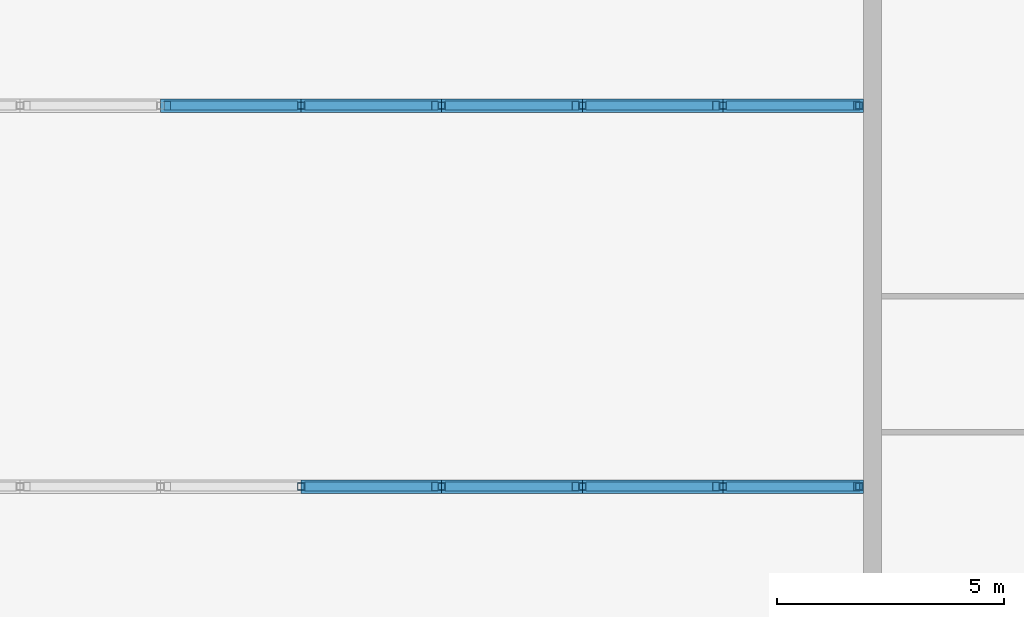
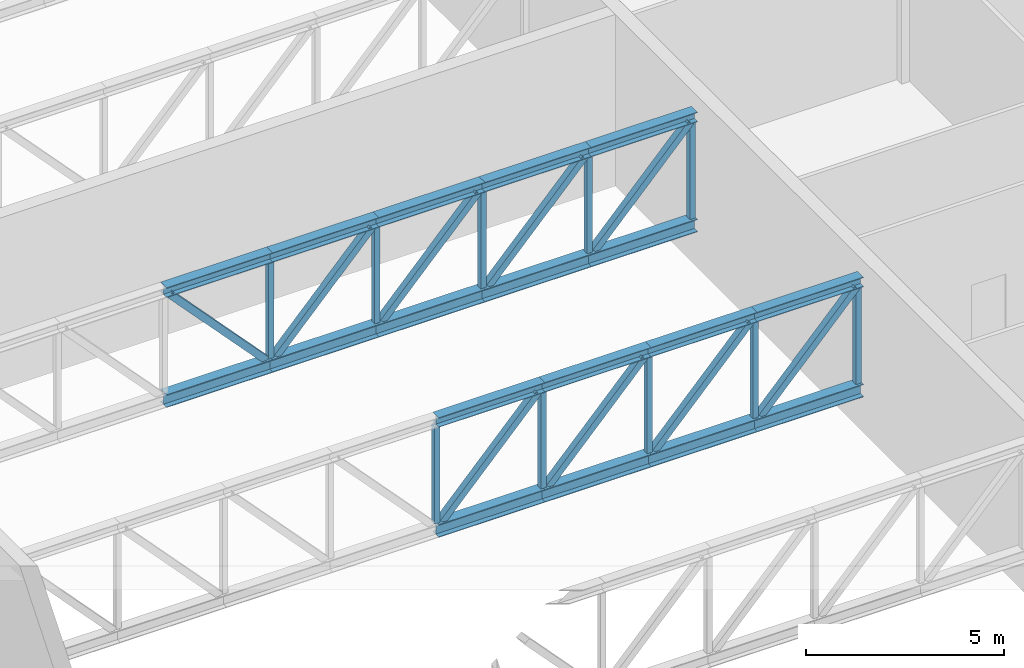
# One storey, part 10 of 26: 37 members.
"""IFC4 building model written with IfcOpenShell, lengths in metres."""

from ifc_helpers import new_model, si_unit, direction, frame, origin, origin_2d, place, context, subcontext, project, spatial, hollow_rectangle, i_section, extrude, material, material_profile, profile_set, type_object, element, save


model = new_model("IFC4")

# Units and contexts
model_context = context("Model", 3, precision=1e-05, world=origin(), true_north=direction((0.0, 1.0)))
body_context = subcontext(model_context, "Body", "Model", "MODEL_VIEW")
ifc_project = project(units=[si_unit("LENGTHUNIT", "METRE"), si_unit("AREAUNIT", "SQUARE_METRE"), si_unit("VOLUMEUNIT", "CUBIC_METRE"), si_unit("PLANEANGLEUNIT", "RADIAN"), si_unit("MASSUNIT", "GRAM", prefix="KILO")], contexts=[model_context])

# Site, building, storey
site_placement = place(None, origin())
site = spatial("IfcSite", under=ifc_project, at=site_placement, CompositionType="ELEMENT")
building_placement = place(site_placement, origin())
building = spatial("IfcBuilding", under=site, at=building_placement, Name="Candeia Pilgrim Tower and Theatre", CompositionType="ELEMENT")
storey_placement = place(building_placement, frame((0.0, 0.0, 34.0)))
storey = spatial("IfcBuildingStorey", under=building, at=storey_placement, Name="L05", CompositionType="ELEMENT", Elevation=34.0)

# Members
ifc_material = material(Name="Steel S355", Category="steel")
ifc_material_profile_1 = material_profile(ifc_material, i_section(OverallWidth=0.300048828125, OverallDepth=0.300048828125, WebThickness=0.010986328125, FlangeThickness=0.01904296875, at=origin_2d()))
ifc_profile_set_1 = profile_set([ifc_material_profile_1], Name="Steel S355")
member_type_1 = type_object("IfcMemberType", Name="Truss chord HEB 300", PredefinedType="CHORD", material=ifc_profile_set_1)
for number, where, z_axis, x_axis, name in (
    (1, (205.39990234375, 87.0, 4.35009765625), (1.0, 0.0, 0.0), (0.0, 1.0, 0.0), "Truss 3 top chord 5"),
    (2, (208.5, 87.0, 4.35009765625), (1.0, 0.0, 0.0), (0.0, 1.0, 0.0), "Truss 3 top chord 6"),
):
    element("IfcMember", number, at=place(storey_placement, frame(where, z_axis=z_axis, x_axis=x_axis)), inside=storey, type_object=member_type_1, Name=name, PredefinedType="CHORD", context=body_context, shape_type="SweptSolid", body=[
        extrude(i_section(OverallWidth=0.300048828125, OverallDepth=0.300048828125, WebThickness=0.010986328125, FlangeThickness=0.01904296875, at=origin_2d()), origin(), (0.0, 0.0, 1.0), 3.10009765625),
    ])
member_1_placement = place(storey_placement, frame((211.60009765625, 87.0, 4.35009765625), z_axis=(1.0, 0.0, 0.0), x_axis=(0.0, 1.0, 0.0)))
element("IfcMember", 3, at=member_1_placement, inside=storey, type_object=member_type_1, Name="Truss 3 top chord 7", PredefinedType="CHORD", context=body_context, shape_type="SweptSolid", body=[
    extrude(i_section(OverallWidth=0.300048828125, OverallDepth=0.300048828125, WebThickness=0.010986328125, FlangeThickness=0.01904296875, at=origin_2d()), origin(), (0.0, 0.0, 1.0), 3.099853515625),
])
member_2_placement = place(storey_placement, frame((214.699951171875, 87.0, 4.35009765625), z_axis=(1.0, 0.0, 0.0), x_axis=(0.0, 1.0, 0.0)))
element("IfcMember", 4, at=member_2_placement, inside=storey, type_object=member_type_1, Name="Truss 3 top chord 8", PredefinedType="CHORD", context=body_context, shape_type="SweptSolid", body=[
    extrude(i_section(OverallWidth=0.300048828125, OverallDepth=0.300048828125, WebThickness=0.010986328125, FlangeThickness=0.01904296875, at=origin_2d()), origin(), (0.0, 0.0, 1.0), 3.10009765625),
])
member_3_placement = place(storey_placement, frame((202.300048828125, 95.39990234375, 4.35009765625), z_axis=(1.0, 0.0, 0.0), x_axis=(0.0, 1.0, 0.0)))
element("IfcMember", 5, at=member_3_placement, inside=storey, type_object=member_type_1, Name="Truss 4 top chord 4", PredefinedType="CHORD", context=body_context, shape_type="SweptSolid", body=[
    extrude(i_section(OverallWidth=0.300048828125, OverallDepth=0.300048828125, WebThickness=0.010986328125, FlangeThickness=0.01904296875, at=origin_2d()), origin(), (0.0, 0.0, 1.0), 3.099853515625),
])
for number, where, z_axis, x_axis, name in (
    (6, (205.39990234375, 95.39990234375, 4.35009765625), (1.0, 0.0, 0.0), (0.0, 1.0, 0.0), "Truss 4 top chord 5"),
    (7, (208.5, 95.39990234375, 4.35009765625), (1.0, 0.0, 0.0), (0.0, 1.0, 0.0), "Truss 4 top chord 6"),
):
    element("IfcMember", number, at=place(storey_placement, frame(where, z_axis=z_axis, x_axis=x_axis)), inside=storey, type_object=member_type_1, Name=name, PredefinedType="CHORD", context=body_context, shape_type="SweptSolid", body=[
        extrude(i_section(OverallWidth=0.300048828125, OverallDepth=0.300048828125, WebThickness=0.010986328125, FlangeThickness=0.01904296875, at=origin_2d()), origin(), (0.0, 0.0, 1.0), 3.10009765625),
    ])
member_4_placement = place(storey_placement, frame((211.60009765625, 95.39990234375, 4.35009765625), z_axis=(1.0, 0.0, 0.0), x_axis=(0.0, 1.0, 0.0)))
element("IfcMember", 8, at=member_4_placement, inside=storey, type_object=member_type_1, Name="Truss 4 top chord 7", PredefinedType="CHORD", context=body_context, shape_type="SweptSolid", body=[
    extrude(i_section(OverallWidth=0.300048828125, OverallDepth=0.300048828125, WebThickness=0.010986328125, FlangeThickness=0.01904296875, at=origin_2d()), origin(), (0.0, 0.0, 1.0), 3.099853515625),
])
member_5_placement = place(storey_placement, frame((214.699951171875, 95.39990234375, 4.35009765625), z_axis=(1.0, 0.0, 0.0), x_axis=(0.0, 1.0, 0.0)))
element("IfcMember", 9, at=member_5_placement, inside=storey, type_object=member_type_1, Name="Truss 4 top chord 8", PredefinedType="CHORD", context=body_context, shape_type="SweptSolid", body=[
    extrude(i_section(OverallWidth=0.300048828125, OverallDepth=0.300048828125, WebThickness=0.010986328125, FlangeThickness=0.01904296875, at=origin_2d()), origin(), (0.0, 0.0, 1.0), 3.10009765625),
])
ifc_material_profile_2 = material_profile(ifc_material, i_section(OverallWidth=0.300048828125, OverallDepth=0.39990234375, WebThickness=0.013427734375, FlangeThickness=0.02392578125, at=origin_2d()))
ifc_profile_set_2 = profile_set([ifc_material_profile_2], Name="Steel S355")
member_type_2 = type_object("IfcMemberType", Name="Truss chord HEB 400", PredefinedType="CHORD", material=ifc_profile_set_2)
for number, where, z_axis, x_axis, name in (
    (10, (205.39990234375, 87.0, 1.0), (1.0, 0.0, 0.0), (0.0, 1.0, 0.0), "Truss 3 bottom chord 5"),
    (11, (208.5, 87.0, 1.0), (1.0, 0.0, 0.0), (0.0, 1.0, 0.0), "Truss 3 bottom chord 6"),
):
    element("IfcMember", number, at=place(storey_placement, frame(where, z_axis=z_axis, x_axis=x_axis)), inside=storey, type_object=member_type_2, Name=name, PredefinedType="CHORD", context=body_context, shape_type="SweptSolid", body=[
        extrude(i_section(OverallWidth=0.300048828125, OverallDepth=0.39990234375, WebThickness=0.013427734375, FlangeThickness=0.02392578125, at=origin_2d()), origin(), (0.0, 0.0, 1.0), 3.10009765625),
    ])
member_6_placement = place(storey_placement, frame((211.60009765625, 87.0, 1.0), z_axis=(1.0, 0.0, 0.0), x_axis=(0.0, 1.0, 0.0)))
element("IfcMember", 12, at=member_6_placement, inside=storey, type_object=member_type_2, Name="Truss 3 bottom chord 7", PredefinedType="CHORD", context=body_context, shape_type="SweptSolid", body=[
    extrude(i_section(OverallWidth=0.300048828125, OverallDepth=0.39990234375, WebThickness=0.013427734375, FlangeThickness=0.02392578125, at=origin_2d()), origin(), (0.0, 0.0, 1.0), 3.099853515625),
])
member_7_placement = place(storey_placement, frame((214.699951171875, 87.0, 1.0), z_axis=(1.0, 0.0, 0.0), x_axis=(0.0, 1.0, 0.0)))
element("IfcMember", 13, at=member_7_placement, inside=storey, type_object=member_type_2, Name="Truss 3 bottom chord 8", PredefinedType="CHORD", context=body_context, shape_type="SweptSolid", body=[
    extrude(i_section(OverallWidth=0.300048828125, OverallDepth=0.39990234375, WebThickness=0.013427734375, FlangeThickness=0.02392578125, at=origin_2d()), origin(), (0.0, 0.0, 1.0), 3.10009765625),
])
member_8_placement = place(storey_placement, frame((202.300048828125, 95.39990234375, 1.0), z_axis=(1.0, 0.0, 0.0), x_axis=(0.0, 1.0, 0.0)))
element("IfcMember", 14, at=member_8_placement, inside=storey, type_object=member_type_2, Name="Truss 4 bottom chord 4", PredefinedType="CHORD", context=body_context, shape_type="SweptSolid", body=[
    extrude(i_section(OverallWidth=0.300048828125, OverallDepth=0.39990234375, WebThickness=0.013427734375, FlangeThickness=0.02392578125, at=origin_2d()), origin(), (0.0, 0.0, 1.0), 3.099853515625),
])
for number, where, z_axis, x_axis, name in (
    (15, (205.39990234375, 95.39990234375, 1.0), (1.0, 0.0, 0.0), (0.0, 1.0, 0.0), "Truss 4 bottom chord 5"),
    (16, (208.5, 95.39990234375, 1.0), (1.0, 0.0, 0.0), (0.0, 1.0, 0.0), "Truss 4 bottom chord 6"),
):
    element("IfcMember", number, at=place(storey_placement, frame(where, z_axis=z_axis, x_axis=x_axis)), inside=storey, type_object=member_type_2, Name=name, PredefinedType="CHORD", context=body_context, shape_type="SweptSolid", body=[
        extrude(i_section(OverallWidth=0.300048828125, OverallDepth=0.39990234375, WebThickness=0.013427734375, FlangeThickness=0.02392578125, at=origin_2d()), origin(), (0.0, 0.0, 1.0), 3.10009765625),
    ])
member_9_placement = place(storey_placement, frame((211.60009765625, 95.39990234375, 1.0), z_axis=(1.0, 0.0, 0.0), x_axis=(0.0, 1.0, 0.0)))
element("IfcMember", 17, at=member_9_placement, inside=storey, type_object=member_type_2, Name="Truss 4 bottom chord 7", PredefinedType="CHORD", context=body_context, shape_type="SweptSolid", body=[
    extrude(i_section(OverallWidth=0.300048828125, OverallDepth=0.39990234375, WebThickness=0.013427734375, FlangeThickness=0.02392578125, at=origin_2d()), origin(), (0.0, 0.0, 1.0), 3.099853515625),
])
member_10_placement = place(storey_placement, frame((214.699951171875, 95.39990234375, 1.0), z_axis=(1.0, 0.0, 0.0), x_axis=(0.0, 1.0, 0.0)))
element("IfcMember", 18, at=member_10_placement, inside=storey, type_object=member_type_2, Name="Truss 4 bottom chord 8", PredefinedType="CHORD", context=body_context, shape_type="SweptSolid", body=[
    extrude(i_section(OverallWidth=0.300048828125, OverallDepth=0.39990234375, WebThickness=0.013427734375, FlangeThickness=0.02392578125, at=origin_2d()), origin(), (0.0, 0.0, 1.0), 3.10009765625),
])
ifc_material_profile_3 = material_profile(ifc_material, hollow_rectangle(XDim=0.199951171875, YDim=0.199951171875, WallThickness=0.010009765625, at=origin_2d()))
ifc_profile_set_3 = profile_set([ifc_material_profile_3], Name="Steel S355")
member_type_3 = type_object("IfcMemberType", Name="Truss diagonal SHS 200x200x10", PredefinedType="BRACE", material=ifc_profile_set_3)
for number, where, z_axis, x_axis, name in (
    (19, (205.550048828125, 87.0, 1.199951171875), (0.682324609438, 0.0, 0.731049333052), (0.0, 1.0, 0.0), "Truss 3 diagonal 5"),
    (20, (208.64990234375, 87.0, 1.199951171875), (0.682324609438, 0.0, 0.731049333052), (0.0, 1.0, 0.0), "Truss 3 diagonal 6"),
    (21, (211.75, 87.0, 1.199951171875), (0.682324609438, 0.0, 0.731049333052), (0.0, 1.0, 0.0), "Truss 3 diagonal 7"),
):
    element("IfcMember", number, at=place(storey_placement, frame(where, z_axis=z_axis, x_axis=x_axis)), inside=storey, type_object=member_type_3, Name=name, PredefinedType="BRACE", context=body_context, shape_type="SweptSolid", body=[
        extrude(hollow_rectangle(XDim=0.199951171875, YDim=0.199951171875, WallThickness=0.010009765625, at=origin_2d()), origin(), (0.0, 0.0, 1.0), 4.103759765625),
    ])
member_11_placement = place(storey_placement, frame((214.85009765625, 87.0, 1.199951171875), z_axis=(0.6822928125, 0.0, 0.731079009417), x_axis=(0.0, 1.0, 0.0)))
element("IfcMember", 22, at=member_11_placement, inside=storey, type_object=member_type_3, Name="Truss 3 diagonal 8", PredefinedType="BRACE", context=body_context, shape_type="SweptSolid", body=[
    extrude(hollow_rectangle(XDim=0.199951171875, YDim=0.199951171875, WallThickness=0.010009765625, at=origin_2d()), origin(), (0.0, 0.0, 1.0), 4.103515625),
])
for number, where, z_axis, x_axis, name in (
    (23, (202.449951171875, 95.39990234375, 4.199951171875), (0.682324609438, 0.0, -0.731049333052), (0.0, 1.0, 0.0), "Truss 4 diagonal 4"),
    (24, (205.550048828125, 95.39990234375, 1.199951171875), (0.682324609438, 0.0, 0.731049333052), (0.0, 1.0, 0.0), "Truss 4 diagonal 5"),
    (25, (208.64990234375, 95.39990234375, 1.199951171875), (0.682324609438, 0.0, 0.731049333052), (0.0, 1.0, 0.0), "Truss 4 diagonal 6"),
    (26, (211.75, 95.39990234375, 1.199951171875), (0.682324609438, 0.0, 0.731049333052), (0.0, 1.0, 0.0), "Truss 4 diagonal 7"),
):
    element("IfcMember", number, at=place(storey_placement, frame(where, z_axis=z_axis, x_axis=x_axis)), inside=storey, type_object=member_type_3, Name=name, PredefinedType="BRACE", context=body_context, shape_type="SweptSolid", body=[
        extrude(hollow_rectangle(XDim=0.199951171875, YDim=0.199951171875, WallThickness=0.010009765625, at=origin_2d()), origin(), (0.0, 0.0, 1.0), 4.103759765625),
    ])
member_12_placement = place(storey_placement, frame((214.85009765625, 95.39990234375, 1.199951171875), z_axis=(0.6822928125, 0.0, 0.731079009417), x_axis=(0.0, 1.0, 0.0)))
element("IfcMember", 27, at=member_12_placement, inside=storey, type_object=member_type_3, Name="Truss 4 diagonal 8", PredefinedType="BRACE", context=body_context, shape_type="SweptSolid", body=[
    extrude(hollow_rectangle(XDim=0.199951171875, YDim=0.199951171875, WallThickness=0.010009765625, at=origin_2d()), origin(), (0.0, 0.0, 1.0), 4.103515625),
])
ifc_material_profile_4 = material_profile(ifc_material, hollow_rectangle(XDim=0.159912109375, YDim=0.159912109375, WallThickness=0.008056640625, at=origin_2d()))
ifc_profile_set_4 = profile_set([ifc_material_profile_4], Name="Steel S355")
member_type_4 = type_object("IfcMemberType", Name="Truss post SHS 160x160x8", PredefinedType="POST", material=ifc_profile_set_4)
for number, where, z_axis, x_axis, name in (
    (28, (205.39990234375, 87.0, 1.199951171875), (0.0, 0.0, 1.0), (1.0, 0.0, 0.0), "Truss 3 post 5"),
    (29, (208.5, 87.0, 1.199951171875), (0.0, 0.0, 1.0), (1.0, 0.0, 0.0), "Truss 3 post 6"),
    (30, (211.60009765625, 87.0, 1.199951171875), (0.0, 0.0, 1.0), (1.0, 0.0, 0.0), "Truss 3 post 7"),
    (31, (214.699951171875, 87.0, 1.199951171875), (0.0, 0.0, 1.0), (1.0, 0.0, 0.0), "Truss 3 post 8"),
    (32, (217.699951171875, 87.0, 1.199951171875), (0.0, 0.0, 1.0), (1.0, 0.0, 0.0), "Truss 3 post 9"),
    (33, (205.39990234375, 95.39990234375, 1.199951171875), (0.0, 0.0, 1.0), (1.0, 0.0, 0.0), "Truss 4 post 5"),
    (34, (208.5, 95.39990234375, 1.199951171875), (0.0, 0.0, 1.0), (1.0, 0.0, 0.0), "Truss 4 post 6"),
    (35, (211.60009765625, 95.39990234375, 1.199951171875), (0.0, 0.0, 1.0), (1.0, 0.0, 0.0), "Truss 4 post 7"),
    (36, (214.699951171875, 95.39990234375, 1.199951171875), (0.0, 0.0, 1.0), (1.0, 0.0, 0.0), "Truss 4 post 8"),
    (37, (217.699951171875, 95.39990234375, 1.199951171875), (0.0, 0.0, 1.0), (1.0, 0.0, 0.0), "Truss 4 post 9"),
):
    element("IfcMember", number, at=place(storey_placement, frame(where, z_axis=z_axis, x_axis=x_axis)), inside=storey, type_object=member_type_4, Name=name, PredefinedType="POST", context=body_context, shape_type="SweptSolid", body=[
        extrude(hollow_rectangle(XDim=0.159912109375, YDim=0.159912109375, WallThickness=0.008056640625, at=origin_2d()), origin(), (0.0, 0.0, 1.0), 3.0),
    ])

save(model, "model.ifc")
